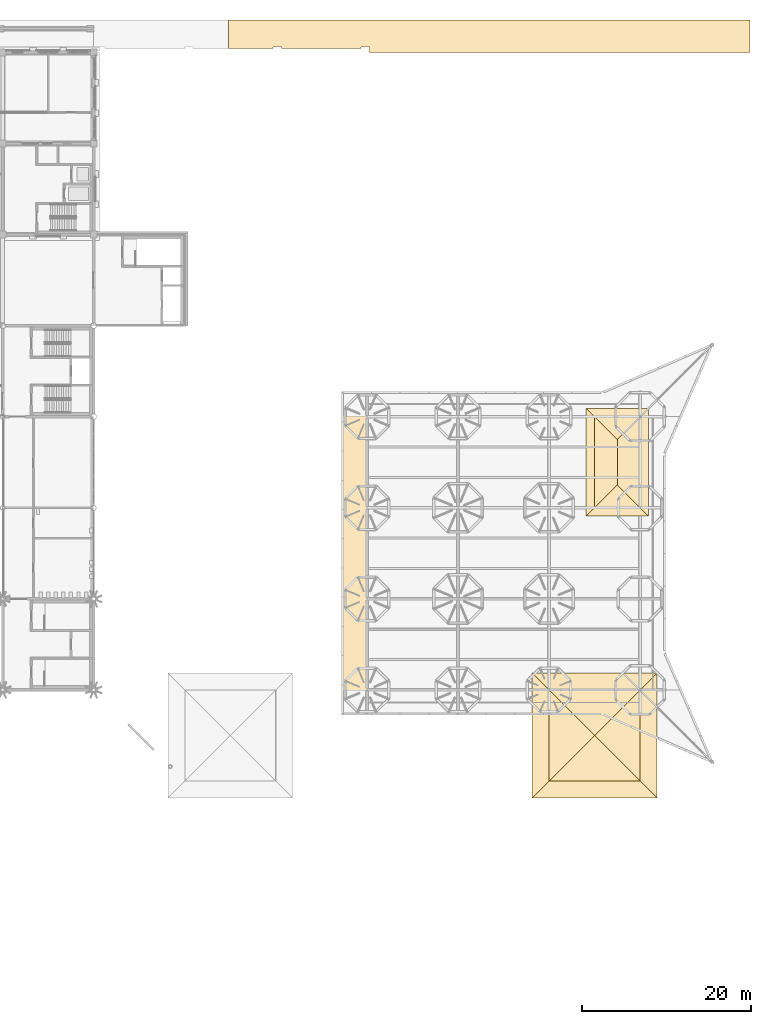
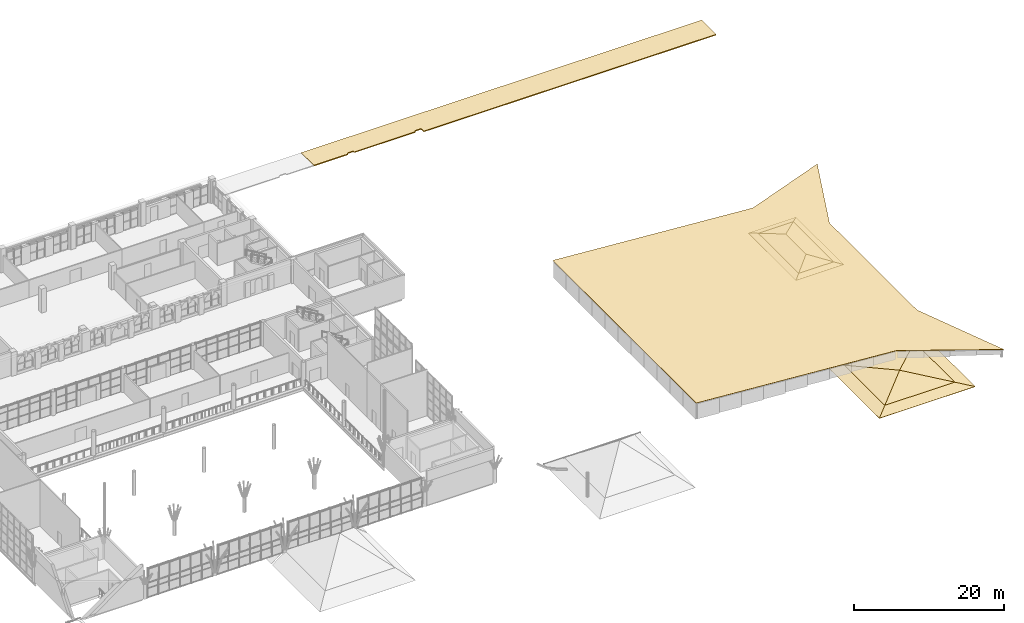
# One storey, part 92 of 95: 18 coverings.
"""IFC4 building model written with IfcOpenShell, lengths in metres."""

from ifc_helpers import new_model, si_unit, direction, frame, origin, place, context, subcontext, project, spatial, polyline, outline, extrude, material, layer, layer_set, type_object, element, save


model = new_model("IFC4")

# Units and contexts
model_context = context("Model", 3, precision=1e-05, world=origin(), true_north=direction((0.0, 1.0)))
body_context = subcontext(model_context, "Body", "Model", "MODEL_VIEW")
ifc_project = project(units=[si_unit("LENGTHUNIT", "METRE"), si_unit("AREAUNIT", "SQUARE_METRE"), si_unit("VOLUMEUNIT", "CUBIC_METRE"), si_unit("PLANEANGLEUNIT", "RADIAN"), si_unit("MASSUNIT", "GRAM", prefix="KILO")], contexts=[model_context])

# Site, building, storey
site_placement = place(None, origin())
site = spatial("IfcSite", under=ifc_project, at=site_placement, CompositionType="ELEMENT")
building_placement = place(site_placement, origin())
building = spatial("IfcBuilding", under=site, at=building_placement, Name="Magnolia Steps Interchange", CompositionType="ELEMENT")
storey_placement = place(building_placement, frame((0.0, 0.0, 4.800048828125)))
storey = spatial("IfcBuildingStorey", under=building, at=storey_placement, Name="L01", CompositionType="ELEMENT", Elevation=4.800048828125)

# Coverings
ifc_material_1 = material(Name="Clay pantile")
ifc_layer_1 = layer(ifc_material_1, 0.0400390625)
ifc_layer_set_1 = layer_set([ifc_layer_1], Name="Clay pantile roofing")
covering_type_1 = type_object("IfcCoveringType", Name="Clay pantile roofing", PredefinedType="ROOFING", material=ifc_layer_set_1)
covering_1_placement = place(storey_placement, frame((182.800048828125, 64.0, 0.184326171875), z_axis=(0.206077371051, 0.0, 0.978535700494), x_axis=(0.0, 1.0, 0.0)))
element("IfcCovering", 1, at=covering_1_placement, inside=storey, type_object=covering_type_1, Name="Clay pantile roof BE-E 1", PredefinedType="ROOFING", context=body_context, shape_type="SweptSolid", body=[
    extrude(outline(polyline([(0.0, 0.0), (10.800048828, 0.0), (8.100097656, 2.759174929), (2.699951172, 2.759174929), (0.0, 0.0)])), origin(), (0.0, 0.0, -1.0), 0.0400390625),
])
covering_2_placement = place(storey_placement, frame((177.39990234375, 74.800048828125, 0.184326171875), z_axis=(-0.206059529564, 0.0, 0.9785394577), x_axis=(0.0, -1.0, 0.0)))
element("IfcCovering", 2, at=covering_2_placement, inside=storey, type_object=covering_type_1, Name="Clay pantile roof BE-E 2", PredefinedType="ROOFING", context=body_context, shape_type="SweptSolid", body=[
    extrude(outline(polyline([(0.0, 0.0), (10.800048828, 0.0), (8.100097656, 2.75941383), (2.699951172, 2.75941383), (0.0, 0.0)])), origin(), (0.0, 0.0, -1.0), 0.0400390625),
])
covering_3_placement = place(storey_placement, frame((177.39990234375, 64.0, 0.184326171875), z_axis=(0.0, -0.206077371051, 0.978535700494), x_axis=(1.0, 0.0, 0.0)))
element("IfcCovering", 3, at=covering_3_placement, inside=storey, type_object=covering_type_1, Name="Clay pantile roof BE-E 3", PredefinedType="ROOFING", context=body_context, shape_type="SweptSolid", body=[
    extrude(outline(polyline([(0.0, 0.0), (5.400146484, 0.0), (2.700195312, 2.759174929), (0.0, 0.0)])), origin(), (0.0, 0.0, -1.0), 0.0400390625),
])
covering_4_placement = place(storey_placement, frame((182.800048828125, 74.800048828125, 0.184326171875), z_axis=(0.0, 0.206077371051, 0.978535700494), x_axis=(-1.0, 0.0, 0.0)))
element("IfcCovering", 4, at=covering_4_placement, inside=storey, type_object=covering_type_1, Name="Clay pantile roof BE-E 4", PredefinedType="ROOFING", context=body_context, shape_type="SweptSolid", body=[
    extrude(outline(polyline([(0.0, 0.0), (5.400146484, 0.0), (2.699951172, 2.759174929), (0.0, 0.0)])), origin(), (0.0, 0.0, -1.0), 0.0400390625),
])
covering_5_placement = place(storey_placement, frame((172.0, 31.60009765625, 0.189453125), z_axis=(0.0, -0.104719892906, 0.994501756675), x_axis=(1.0, 0.0, 0.0)))
element("IfcCovering", 5, at=covering_5_placement, inside=storey, type_object=covering_type_1, Name="Clay pantile roof BC4 1", PredefinedType="ROOFING", context=body_context, shape_type="SweptSolid", body=[
    extrude(outline(polyline([(0.0, 0.0), (10.800048828, 0.0), (5.399902344, 5.429756466), (0.0, 0.0)])), origin(), (0.0, 0.0, -1.0), 0.0400390625),
])
covering_6_placement = place(storey_placement, frame((182.800048828125, 42.39990234375, 0.189453125), z_axis=(0.0, 0.104719892906, 0.994501756675), x_axis=(-1.0, 0.0, 0.0)))
element("IfcCovering", 6, at=covering_6_placement, inside=storey, type_object=covering_type_1, Name="Clay pantile roof BC4 2", PredefinedType="ROOFING", context=body_context, shape_type="SweptSolid", body=[
    extrude(outline(polyline([(0.0, 0.0), (10.800048828, 0.0), (5.400146484, 5.429756466), (0.0, 0.0)])), origin(), (0.0, 0.0, -1.0), 0.0400390625),
])
covering_7_placement = place(storey_placement, frame((172.0, 42.39990234375, 0.189453125), z_axis=(-0.104719892906, 0.0, 0.994501756675), x_axis=(0.0, -1.0, 0.0)))
element("IfcCovering", 7, at=covering_7_placement, inside=storey, type_object=covering_type_1, Name="Clay pantile roof BC4 3", PredefinedType="ROOFING", context=body_context, shape_type="SweptSolid", body=[
    extrude(outline(polyline([(0.0, 0.0), (10.799804688, 0.0), (5.399902344, 5.429756466), (0.0, 0.0)])), origin(), (0.0, 0.0, -1.0), 0.0400390625),
])
covering_8_placement = place(storey_placement, frame((182.800048828125, 31.60009765625, 0.189453125), z_axis=(0.104715210435, 0.0, 0.994502249723), x_axis=(0.0, 1.0, 0.0)))
element("IfcCovering", 8, at=covering_8_placement, inside=storey, type_object=covering_type_1, Name="Clay pantile roof BC4 4", PredefinedType="ROOFING", context=body_context, shape_type="SweptSolid", body=[
    extrude(outline(polyline([(0.0, 0.0), (10.799804688, 0.0), (5.399902344, 5.429999264), (0.0, 0.0)])), origin(), (0.0, 0.0, -1.0), 0.0400390625),
])
for number, where, z_axis, x_axis, name in (
    (9, (172.0, 31.60009765625, 0.189453125), (0.0, -0.104766936046, 0.994496801961), (1.0, 0.0, 0.0), "Clay pantile eave Pavilion roof slab BC4 1 1"),
    (10, (182.800048828125, 42.39990234375, 0.189453125), (0.0, 0.104766936046, 0.994496801961), (-1.0, 0.0, 0.0), "Clay pantile eave Pavilion roof slab BC4 2 1"),
):
    element("IfcCovering", number, at=place(storey_placement, frame(where, z_axis=z_axis, x_axis=x_axis)), inside=storey, type_object=covering_type_1, Name=name, PredefinedType="ROOFING", context=body_context, shape_type="SweptSolid", body=[
        extrude(outline(polyline([(0.0, 0.0), (10.800048828, 0.0), (12.800048828, -2.011067302), (-2.0, -2.011067302), (0.0, 0.0)])), origin(), (0.0, 0.0, -1.0), 0.0400390625),
    ])
for number, where, z_axis, x_axis, name in (
    (11, (172.0, 42.39990234375, 0.189453125), (-0.104766936046, 0.0, 0.994496801961), (0.0, -1.0, 0.0), "Clay pantile eave Pavilion roof slab BC4 3 1"),
    (12, (182.800048828125, 31.60009765625, 0.189453125), (0.104766936046, 0.0, 0.994496801961), (0.0, 1.0, 0.0), "Clay pantile eave Pavilion roof slab BC4 4 1"),
):
    element("IfcCovering", number, at=place(storey_placement, frame(where, z_axis=z_axis, x_axis=x_axis)), inside=storey, type_object=covering_type_1, Name=name, PredefinedType="ROOFING", context=body_context, shape_type="SweptSolid", body=[
        extrude(outline(polyline([(0.0, 0.0), (10.799804688, 0.0), (12.799804688, -2.011067302), (-2.0, -2.011067302), (0.0, 0.0)])), origin(), (0.0, 0.0, -1.0), 0.0400390625),
    ])
for number, where, z_axis, x_axis, name in (
    (13, (182.800048828125, 64.0, 0.184326171875), (0.206166996292, 0.0, 0.978516821337), (0.0, 1.0, 0.0), "Clay pantile eave Pavilion roof slab BE-E 1 1"),
    (14, (177.39990234375, 74.800048828125, 0.184326171875), (-0.206166996292, 0.0, 0.978516821337), (0.0, -1.0, 0.0), "Clay pantile eave Pavilion roof slab BE-E 2 1"),
):
    element("IfcCovering", number, at=place(storey_placement, frame(where, z_axis=z_axis, x_axis=x_axis)), inside=storey, type_object=covering_type_1, Name=name, PredefinedType="ROOFING", context=body_context, shape_type="SweptSolid", body=[
        extrude(outline(polyline([(0.0, 0.0), (10.800048828, 0.0), (11.800048828, -1.021954838), (-1.0, -1.021954838), (0.0, 0.0)])), origin(), (0.0, 0.0, -1.0), 0.0400390625),
    ])
for number, where, z_axis, x_axis, name in (
    (15, (177.39990234375, 64.0, 0.184326171875), (0.0, -0.206166996292, 0.978516821337), (1.0, 0.0, 0.0), "Clay pantile eave Pavilion roof slab BE-E 3 1"),
    (16, (182.800048828125, 74.800048828125, 0.184326171875), (0.0, 0.206166996292, 0.978516821337), (-1.0, 0.0, 0.0), "Clay pantile eave Pavilion roof slab BE-E 4 1"),
):
    element("IfcCovering", number, at=place(storey_placement, frame(where, z_axis=z_axis, x_axis=x_axis)), inside=storey, type_object=covering_type_1, Name=name, PredefinedType="ROOFING", context=body_context, shape_type="SweptSolid", body=[
        extrude(outline(polyline([(0.0, 0.0), (5.400146484, 0.0), (6.400146484, -1.021954838), (-1.0, -1.021954838), (0.0, 0.0)])), origin(), (0.0, 0.0, -1.0), 0.0400390625),
    ])
ifc_material_2 = material(Name="White standing seam aluminium", Category="aluminium")
ifc_layer_2 = layer(ifc_material_2, 0.0400390625)
ifc_layer_set_2 = layer_set([ifc_layer_2], Name="Standing seam metal roofing")
covering_type_2 = type_object("IfcCoveringType", Name="Standing seam metal roofing", PredefinedType="ROOFING", material=ifc_layer_set_2)
covering_9_placement = place(storey_placement, frame((147.39990234375, 39.39990234375, 4.43994140625), z_axis=(0.072723675525, 0.0, 0.997352127896), x_axis=(0.997352127896, 0.0, -0.072723675525)))
element("IfcCovering", 17, at=covering_9_placement, inside=storey, type_object=covering_type_2, Name="Bus Deck Canopy standing seam roof skin", PredefinedType="ROOFING", context=body_context, shape_type="SweptSolid", body=[
    extrude(outline(polyline([(0.0, 0.0), (30.982185931, 0.0), (44.285464726, -5.768066406), (38.50209765, 7.5), (38.50209765, 30.900146484), (44.285464726, 44.168212891), (30.982185931, 38.400146484), (0.0, 38.400146484), (0.0, 0.0)])), origin(), (0.0, 0.0, -1.0), 0.0400390625),
])
ifc_material_3 = material(Name="Natural stone paving", Category="masonry")
ifc_layer_3 = layer(ifc_material_3, 0.14990234375)
ifc_layer_set_3 = layer_set([ifc_layer_3], Name="Stone paving 150")
covering_type_3 = type_object("IfcCoveringType", Name="Stone paving 150", PredefinedType="FLOORING", material=ifc_layer_set_3)
covering_10_placement = place(storey_placement, frame((0.0, 0.0, -0.150146484375)))
element("IfcCovering", 18, at=covering_10_placement, inside=storey, type_object=covering_type_3, Name="Street paving north east", PredefinedType="FLOORING", context=body_context, shape_type="SweptSolid", body=[
    extrude(outline(polyline([(195.85009765625, 121.85009765625), (195.85009765625, 118.0), (150.699951171875, 118.0), (150.699462890625, 118.60986328125), (150.63818359375, 118.6923828125), (149.77099609375, 118.69580078125), (149.704345703125, 118.62890625), (149.699951171875, 118.449951171875), (140.25, 118.449951171875), (140.242431640625, 118.63818359375), (140.14990234375, 118.699951171875), (139.321044921875, 118.69580078125), (139.25439453125, 118.62890625), (139.25, 118.449951171875), (134.0, 118.449951171875), (134.0, 121.85009765625), (195.85009765625, 121.85009765625)])), origin(), (0.0, 0.0, 1.0), 0.150146484375),
])

save(model, "model.ifc")
